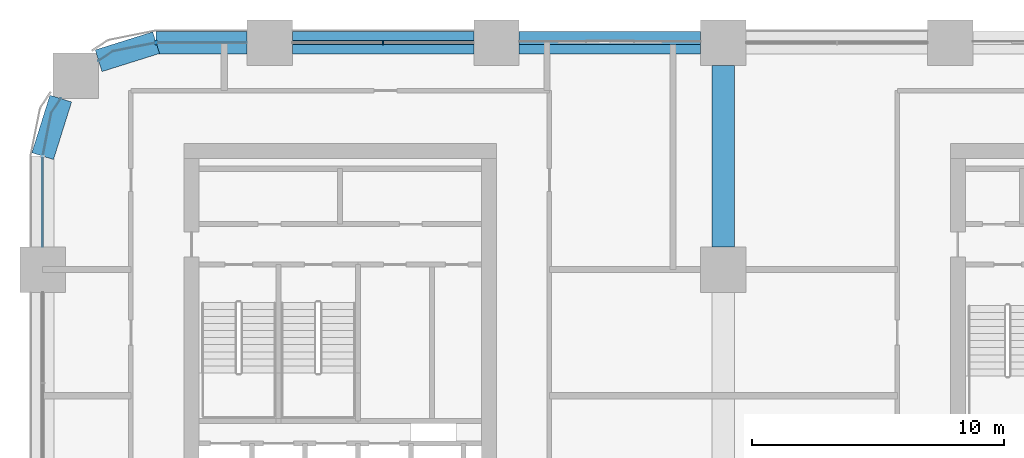
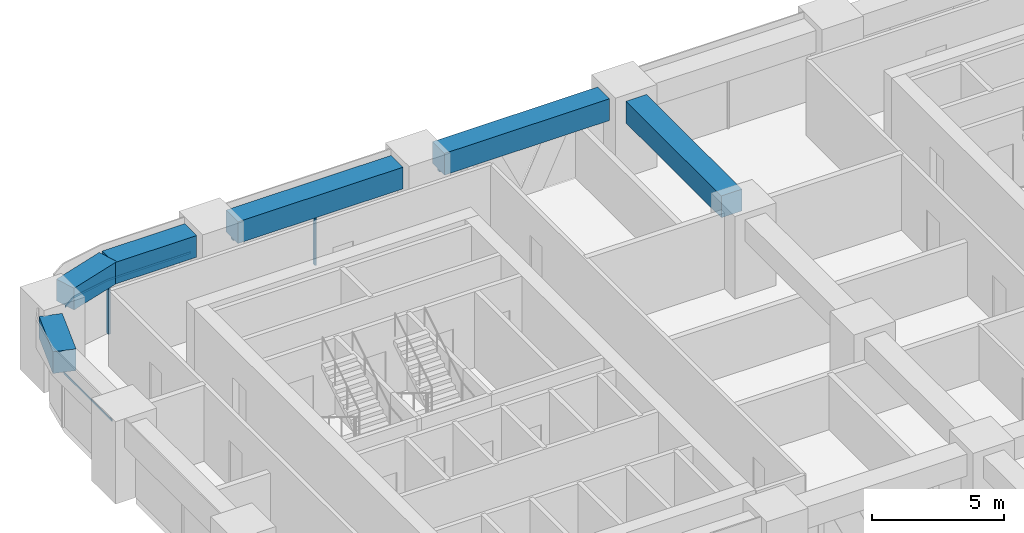
# One storey, part 8 of 19: 6 beams, 6 members, 4 elements without a shape of their own.
"""IFC4 building model written with IfcOpenShell, lengths in metres."""

from ifc_helpers import new_model, si_unit, direction, frame, origin, origin_2d, place, context, subcontext, project, spatial, polyline, rectangle, outline, extrude, material, material_profile, profile_set, type_object, element, aggregate, save


model = new_model("IFC4")

# Units and contexts
model_context = context("Model", 3, precision=1e-05, world=origin(), true_north=direction((0.0, 1.0)))
body_context = subcontext(model_context, "Body", "Model", "MODEL_VIEW")
ifc_project = project(units=[si_unit("LENGTHUNIT", "METRE"), si_unit("AREAUNIT", "SQUARE_METRE"), si_unit("VOLUMEUNIT", "CUBIC_METRE"), si_unit("PLANEANGLEUNIT", "RADIAN"), si_unit("MASSUNIT", "GRAM", prefix="KILO")], contexts=[model_context])

# Site, building, storey
site_placement = place(None, origin())
site = spatial("IfcSite", under=ifc_project, at=site_placement, CompositionType="ELEMENT")
building_placement = place(site_placement, origin())
building = spatial("IfcBuilding", under=site, at=building_placement, Name="Tessera Arch", CompositionType="ELEMENT")
storey_placement = place(building_placement, frame((0.0, 0.0, 85.39990234375)))
storey = spatial("IfcBuildingStorey", under=building, at=storey_placement, Name="L19", CompositionType="ELEMENT", Elevation=85.39990234375)

# Curtain wall, members
ifc_material_1 = material(Name="CW1 curtain wall")
curtain_wall_type_1 = type_object("IfcCurtainWallType", Name="CW1 curtain wall", PredefinedType="NOTDEFINED", material=ifc_material_1)
curtain_wall_1_placement = place(storey_placement, origin())
curtain_wall_1 = element("IfcCurtainWall", 1, at=curtain_wall_1_placement, inside=storey, type_object=curtain_wall_type_1, Name="CW1 curtain wall N54.0/3 L19", PredefinedType="NOTDEFINED")
ifc_material_2 = material(Name="Anodised aluminium pale metal", Category="aluminium")
ifc_material_profile_1 = material_profile(ifc_material_2, rectangle(XDim=0.159912109375, YDim=0.06005859375, at=origin_2d()), Name="AL 60x160")
ifc_profile_set_1 = profile_set([ifc_material_profile_1], Name="Anodised aluminium pale metal")
member_type_1 = type_object("IfcMemberType", Name="CW1 mullion", PredefinedType="MULLION", material=ifc_profile_set_1)
member_1_placement = place(storey_placement, frame((13.5, 54.0, 0.0), z_axis=(0.0, 0.0, 1.0), x_axis=(0.0, -1.0, 0.0)))
member_1 = element("IfcMember", 2, at=member_1_placement, type_object=member_type_1, Name="CW1 mullion N54.0/3 1", PredefinedType="MULLION", context=body_context, shape_type="SweptSolid", body=[
    extrude(rectangle(XDim=0.159912109375, YDim=0.06005859375, at=origin_2d()), origin(), (0.0, 0.0, 1.0), 2.400146484375),
])
ifc_material_3 = material(Name="Anodised aluminium pale metal", Category="aluminium")
ifc_material_profile_2 = material_profile(ifc_material_3, rectangle(XDim=0.159912109375, YDim=0.10009765625, at=origin_2d()), Name="AL 160x100")
ifc_profile_set_2 = profile_set([ifc_material_profile_2], Name="Anodised aluminium pale metal")
member_type_2 = type_object("IfcMemberType", Name="CW1 transom", PredefinedType="USERDEFINED", material=ifc_profile_set_2)
member_2_placement = place(storey_placement, frame((17.10009765625, 54.0, 2.4501953125), z_axis=(-1.0, 0.0, 0.0), x_axis=(0.0, -1.0, 0.0)))
member_2 = element("IfcMember", 3, at=member_2_placement, type_object=member_type_2, Name="CW1 transom N54.0/3 1.1", ObjectType="TRANSOM", PredefinedType="USERDEFINED", context=body_context, shape_type="SweptSolid", body=[
    extrude(rectangle(XDim=0.159912109375, YDim=0.10009765625, at=origin_2d()), origin(), (0.0, 0.0, 1.0), 7.2001953125),
])
aggregate(curtain_wall_1, [member_1, member_2])

ifc_material_4 = material(Name="CW2 curtain wall")
curtain_wall_type_2 = type_object("IfcCurtainWallType", Name="CW2 curtain wall", PredefinedType="NOTDEFINED", material=ifc_material_4)
curtain_wall_2_placement = place(storey_placement, origin())
curtain_wall_2 = element("IfcCurtainWall", 4, at=curtain_wall_2_placement, inside=storey, type_object=curtain_wall_type_2, Name="CW2 curtain wall N54.0/4 L19", PredefinedType="NOTDEFINED")
ifc_material_5 = material(Name="Anodised aluminium pale metal", Category="aluminium")
ifc_material_profile_3 = material_profile(ifc_material_5, rectangle(XDim=0.199951171875, YDim=0.080078125, at=origin_2d()), Name="AL 80x200")
ifc_profile_set_3 = profile_set([ifc_material_profile_3], Name="Anodised aluminium pale metal")
member_type_3 = type_object("IfcMemberType", Name="CW2 mullion", PredefinedType="MULLION", material=ifc_profile_set_3)
member_3_placement = place(storey_placement, frame((4.5, 54.0, 0.0), z_axis=(0.0, 0.0, 1.0), x_axis=(0.0, -1.0, 0.0)))
member_3 = element("IfcMember", 5, at=member_3_placement, type_object=member_type_3, Name="CW2 mullion N54.0/4 1", PredefinedType="MULLION", context=body_context, shape_type="SweptSolid", body=[
    extrude(rectangle(XDim=0.199951171875, YDim=0.080078125, at=origin_2d()), origin(), (0.0, 0.0, 1.0), 2.400146484375),
])
ifc_material_6 = material(Name="Anodised aluminium pale metal", Category="aluminium")
ifc_material_profile_4 = material_profile(ifc_material_6, rectangle(XDim=0.199951171875, YDim=0.10009765625, at=origin_2d()), Name="AL 200x100")
ifc_profile_set_4 = profile_set([ifc_material_profile_4], Name="Anodised aluminium pale metal")
member_type_4 = type_object("IfcMemberType", Name="CW2 transom", PredefinedType="USERDEFINED", material=ifc_profile_set_4)
member_4_placement = place(storey_placement, frame((0.0, 0.0, 2.400146484375)))
member_4 = element("IfcMember", 6, at=member_4_placement, type_object=member_type_4, Name="CW2 transom N54.0/4 1", ObjectType="TRANSOM", PredefinedType="USERDEFINED", context=body_context, shape_type="SweptSolid", body=[
    extrude(outline(polyline([(4.5009765625, 53.989990234375), (8.10009765625, 53.989990234375), (8.10009765625, 54.010009765625), (4.4990234375, 54.010009765625), (2.77392578125, 53.6669921875), (2.21240234375, 53.29150390625), (2.2236328125, 53.27490234375), (2.78173828125, 53.648193359375), (4.5009765625, 53.989990234375)])), origin(), (0.0, 0.0, 1.0), 0.099853515625),
])
aggregate(curtain_wall_2, [member_3, member_4])

# Curtain wall, member
curtain_wall_3_placement = place(storey_placement, origin())
curtain_wall_3 = element("IfcCurtainWall", 7, at=curtain_wall_3_placement, inside=storey, type_object=curtain_wall_type_2, Name="CW2 curtain wall W0.27/0 L19", PredefinedType="NOTDEFINED")
member_5_placement = place(storey_placement, frame((0.0, 0.0, 2.400146484375)))
member_5 = element("IfcMember", 8, at=member_5_placement, type_object=member_type_4, Name="CW2 transom W0.27/0 1", ObjectType="TRANSOM", PredefinedType="USERDEFINED", context=body_context, shape_type="SweptSolid", body=[
    extrude(outline(polyline([(0.351806640625, 51.21826171875), (0.72509765625, 51.7763671875), (0.70849609375, 51.78759765625), (0.3330078125, 51.22607421875), (-0.010009765625, 49.5009765625), (-0.010009765625, 45.89990234375), (0.010009765625, 45.89990234375), (0.010009765625, 49.4990234375), (0.351806640625, 51.21826171875)])), origin(), (0.0, 0.0, 1.0), 0.099853515625),
])
aggregate(curtain_wall_3, [member_5])

ifc_material_7 = material(Name="CW3 curtain wall")
curtain_wall_type_3 = type_object("IfcCurtainWallType", Name="CW3 curtain wall", PredefinedType="NOTDEFINED", material=ifc_material_7)
curtain_wall_4_placement = place(storey_placement, origin())
curtain_wall_4 = element("IfcCurtainWall", 9, at=curtain_wall_4_placement, inside=storey, type_object=curtain_wall_type_3, Name="CW3 curtain wall N54.0/2 L19", PredefinedType="NOTDEFINED")
ifc_material_8 = material(Name="Anodised aluminium pale metal", Category="aluminium")
ifc_material_profile_5 = material_profile(ifc_material_8, rectangle(XDim=0.139892578125, YDim=0.10009765625, at=origin_2d()), Name="AL 140x100")
ifc_profile_set_5 = profile_set([ifc_material_profile_5], Name="Anodised aluminium pale metal")
member_type_5 = type_object("IfcMemberType", Name="CW3 transom", PredefinedType="USERDEFINED", material=ifc_profile_set_5)
member_6_placement = place(storey_placement, frame((26.10009765625, 54.0, 2.4501953125), z_axis=(-1.0, 0.0, 0.0), x_axis=(0.0, -1.0, 0.0)))
member_6 = element("IfcMember", 10, at=member_6_placement, type_object=member_type_5, Name="CW3 transom N54.0/2 1.1", ObjectType="TRANSOM", PredefinedType="USERDEFINED", context=body_context, shape_type="SweptSolid", body=[
    extrude(rectangle(XDim=0.139892578125, YDim=0.10009765625, at=origin_2d()), origin(), (0.0, 0.0, 1.0), 7.2001953125),
])
aggregate(curtain_wall_4, [member_6])

# Beams
ifc_material_9 = material(Name="Concrete C80/95", Category="concrete")
ifc_material_profile_6 = material_profile(ifc_material_9, rectangle(XDim=0.89990234375, YDim=1.0, at=origin_2d()), Name="RC spandrel beam 900 x 1000 Concrete C80/95")
ifc_profile_set_6 = profile_set([ifc_material_profile_6], Name="Concrete C80/95")
beam_type = type_object("IfcBeamType", Name="RC spandrel beam 900 x 1000 Concrete C80/95", PredefinedType="BEAM", material=ifc_profile_set_6)
for number, where, z_axis, x_axis, name in (
    (11, (26.10009765625, 54.0, 3.0), (-1.0, 0.0, 0.0), (0.0, -1.0, 0.0), "Spandrel beam L19 N54.0/2"),
    (12, (17.10009765625, 54.0, 3.0), (-1.0, 0.0, 0.0), (0.0, -1.0, 0.0), "Spandrel beam L19 N54.0/3"),
):
    element("IfcBeam", number, at=place(storey_placement, frame(where, z_axis=z_axis, x_axis=x_axis)), inside=storey, type_object=beam_type, Name=name, PredefinedType="BEAM", context=body_context, shape_type="SweptSolid", body=[
        extrude(rectangle(XDim=0.89990234375, YDim=1.0, at=origin_2d()), origin(), (0.0, 0.0, 1.0), 7.2001953125),
    ])
beam_1_placement = place(storey_placement, frame((8.10009765625, 54.0, 3.0), z_axis=(-1.0, 0.0, 0.0), x_axis=(0.0, -1.0, 0.0)))
element("IfcBeam", 13, at=beam_1_placement, inside=storey, type_object=beam_type, Name="Spandrel beam L19 N54.0/4.1", PredefinedType="BEAM", context=body_context, shape_type="SweptSolid", body=[
    extrude(rectangle(XDim=0.89990234375, YDim=1.0, at=origin_2d()), origin(), (0.0, 0.0, 1.0), 3.60009765625),
])
for number, where, z_axis, x_axis, name in (
    (14, (4.5, 54.0, 3.0), (-0.954041251279, -0.299675309057, 0.0), (0.299675309057, -0.954041251279, 0.0), "Spandrel beam L19 N54.0/4.2"),
    (15, (0.716796875, 51.781982421875, 3.0), (-0.299675309057, -0.954041251279, 0.0), (0.954041251279, -0.299675309057, 0.0), "Spandrel beam L19 W0.27/0.1"),
):
    element("IfcBeam", number, at=place(storey_placement, frame(where, z_axis=z_axis, x_axis=x_axis)), inside=storey, type_object=beam_type, Name=name, PredefinedType="BEAM", context=body_context, shape_type="SweptSolid", body=[
        extrude(rectangle(XDim=0.89990234375, YDim=1.0, at=origin_2d()), origin(), (0.0, 0.0, 1.0), 2.391845703125),
    ])
beam_2_placement = place(storey_placement, frame((27.0, 45.89990234375, 3.0), z_axis=(0.0, 1.0, 0.0), x_axis=(-1.0, 0.0, 0.0)))
element("IfcBeam", 16, at=beam_2_placement, inside=storey, type_object=beam_type, Name="Interface beam L19 I0C4F-C4G", PredefinedType="BEAM", context=body_context, shape_type="SweptSolid", body=[
    extrude(rectangle(XDim=0.89990234375, YDim=1.0, at=origin_2d()), origin(), (0.0, 0.0, 1.0), 7.2001953125),
])

save(model, "model.ifc")
